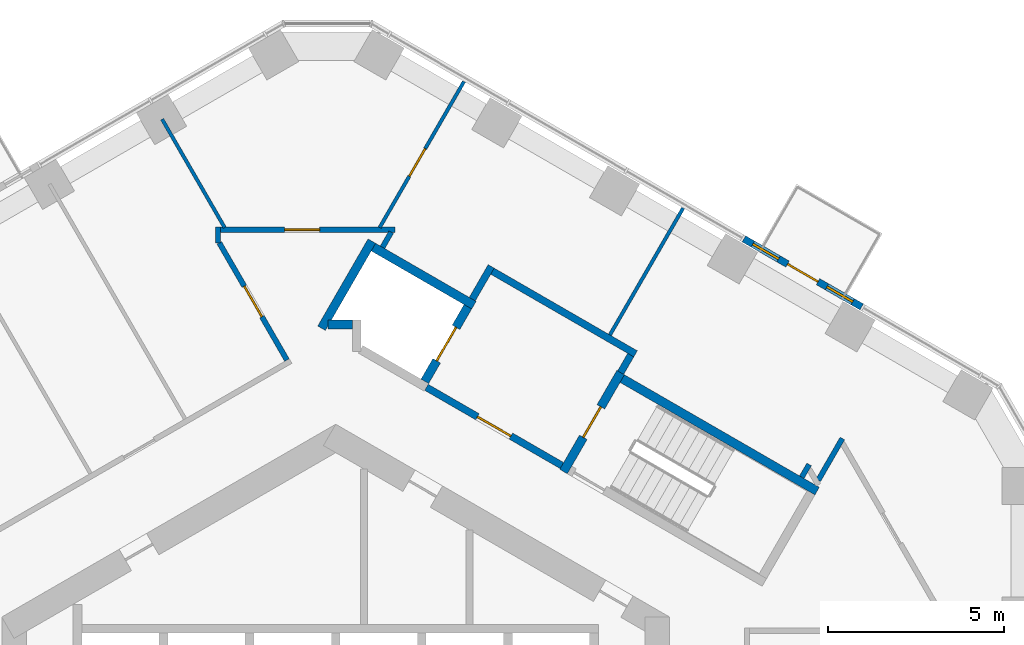
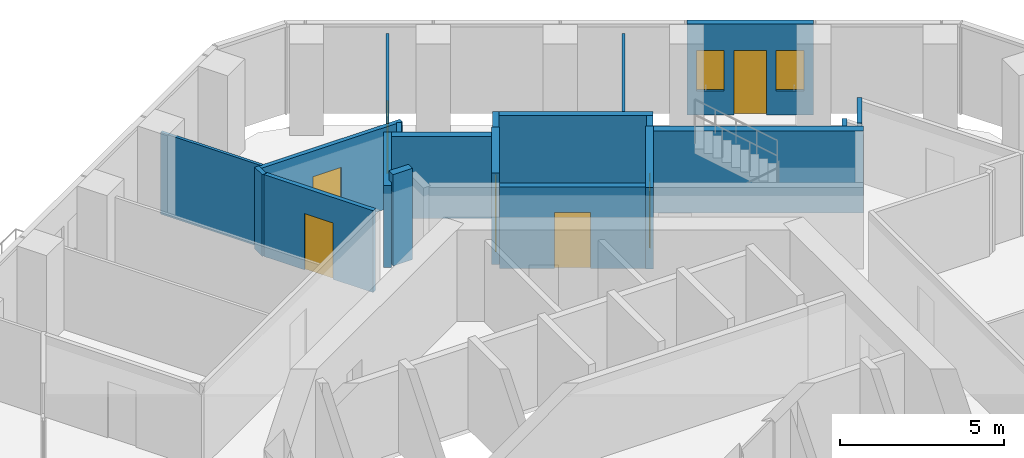
# One storey, part 16 of 20: 20 walls, 7 doors, 2 windows, 9 openings.
"""IFC4 building model written with IfcOpenShell, lengths in metres."""

from ifc_helpers import new_model, si_unit, direction, frame, frame_2d, origin, place, context, subcontext, project, spatial, rectangle, extrude, material, layer, layer_set, type_object, element, fill, save


model = new_model("IFC4")

# Units and contexts
model_context = context("Model", 3, precision=1e-05, world=origin(), true_north=direction((0.0, 1.0)))
body_context = subcontext(model_context, "Body", "Model", "MODEL_VIEW")
ifc_project = project(units=[si_unit("LENGTHUNIT", "METRE"), si_unit("AREAUNIT", "SQUARE_METRE"), si_unit("VOLUMEUNIT", "CUBIC_METRE"), si_unit("PLANEANGLEUNIT", "RADIAN"), si_unit("MASSUNIT", "GRAM", prefix="KILO")], contexts=[model_context])

# Site, building, storey
site_placement = place(None, origin())
site = spatial("IfcSite", under=ifc_project, at=site_placement, CompositionType="ELEMENT")
building_placement = place(site_placement, origin())
building = spatial("IfcBuilding", under=site, at=building_placement, Name="Ayvan Gate Tower", CompositionType="ELEMENT")
storey_placement = place(building_placement, frame((0.0, 0.0, 96.699951171875)))
storey = spatial("IfcBuildingStorey", under=building, at=storey_placement, Name="L25", CompositionType="ELEMENT", Elevation=96.699951171875)

# Wall, openings, door, windows
ifc_material_1 = material(Name="Insulated metal panel wall")
ifc_layer_1 = layer(ifc_material_1, 0.199951171875)
ifc_layer_set_1 = layer_set([ifc_layer_1], Name="Insulated metal panel wall")
wall_type_1 = type_object("IfcWallType", Name="Balcony door wall 200", PredefinedType="SOLIDWALL", material=ifc_layer_set_1)
wall_1_placement = place(storey_placement, frame((14.96240234375, 14.30908203125, 0.0), z_axis=(0.0, 0.0, 1.0), x_axis=(-0.866013246922, 0.500021055713, 0.0)))
wall_1 = element("IfcWall", 1, at=wall_1_placement, inside=storey, type_object=wall_type_1, Name="EW:L25:1:1", PredefinedType="SOLIDWALL", context=body_context, shape_type="SweptSolid", body=[
    extrude(rectangle(XDim=3.868896484375, YDim=0.199951171875, at=frame_2d((1.9345703125, 0.0))), origin(), (0.0, 0.0, 1.0), 3.400146484375),
])
opening_1_placement = place(wall_1_placement, frame((1.4345703125, 0.0, 0.0)))
opening_1 = element("IfcOpeningElement", 2, at=opening_1_placement, cuts=wall_1, Name="Opening L25-D91", PredefinedType="OPENING", context=body_context, shape_type="SweptSolid", body=[
    extrude(rectangle(XDim=1.0, YDim=2.39990234375, at=frame_2d((0.5, 1.199951171875))), frame((0.0, 0.10986328125, 0.0), z_axis=(0.0, -1.0, 0.0), x_axis=(1.0, 0.0, 0.0)), (0.0, 0.0, 1.0), 0.219970703125),
])
opening_2_placement = place(wall_1_placement, frame((0.292236328125, 0.0, 0.89990234375)))
opening_2 = element("IfcOpeningElement", 3, at=opening_2_placement, cuts=wall_1, Name="Opening W-B2", PredefinedType="OPENING", context=body_context, shape_type="SweptSolid", body=[
    extrude(rectangle(XDim=0.85009765625, YDim=1.5, at=frame_2d((0.425048828125, 0.75))), frame((0.0, 0.10986328125, 0.0), z_axis=(0.0, -1.0, 0.0), x_axis=(1.0, 0.0, 0.0)), (0.0, 0.0, 1.0), 0.219970703125),
])
opening_3_placement = place(wall_1_placement, frame((2.726806640625, 0.0, 0.89990234375)))
opening_3 = element("IfcOpeningElement", 4, at=opening_3_placement, cuts=wall_1, Name="Opening W-B2", PredefinedType="OPENING", context=body_context, shape_type="SweptSolid", body=[
    extrude(rectangle(XDim=0.85009765625, YDim=1.5, at=frame_2d((0.425048828125, 0.75))), frame((0.0, 0.10986328125, 0.0), z_axis=(0.0, -1.0, 0.0), x_axis=(1.0, 0.0, 0.0)), (0.0, 0.0, 1.0), 0.219970703125),
])
ifc_material_2 = material(Name="Bronze anodised aluminium and clear glass", Category="aluminium")
door_type_1 = type_object("IfcDoorType", Name="Balcony door D-B", OperationType="SINGLE_SWING_RIGHT", PredefinedType="DOOR", material=ifc_material_2)
door_1_placement = place(opening_1_placement, origin())
door_1 = element("IfcDoor", 5, at=door_1_placement, inside=storey, type_object=door_type_1, Name="Balcony door BAL-L25-1", OperationType="SINGLE_SWING_RIGHT", OverallHeight=2.39990234375, OverallWidth=1.0, PredefinedType="DOOR", context=body_context, shape_type="SweptSolid", body=[
    extrude(rectangle(XDim=1.0, YDim=2.39990234375, at=frame_2d((0.5, 1.199951171875))), frame((0.0, 0.02490234375, 0.0), z_axis=(0.0, -1.0, 0.0), x_axis=(1.0, 0.0, 0.0)), (0.0, 0.0, 1.0), 0.050048828125),
])
fill(opening_1, door_1)
window_type = type_object("IfcWindowType", Name="Balcony side light W-B Z2", PartitioningType="SINGLE_PANEL", PredefinedType="WINDOW", material=ifc_material_2)
window_1_placement = place(opening_2_placement, origin())
window_1 = element("IfcWindow", 6, at=window_1_placement, inside=storey, type_object=window_type, Name="Balcony side light BAL-L25-1.1", OverallHeight=1.5, OverallWidth=0.85009765625, PartitioningType="SINGLE_PANEL", PredefinedType="WINDOW", context=body_context, shape_type="SweptSolid", body=[
    extrude(rectangle(XDim=0.85009765625, YDim=1.5, at=frame_2d((0.425048828125, 0.75))), frame((0.0, 0.030029296875, 0.0), z_axis=(0.0, -1.0, 0.0), x_axis=(1.0, 0.0, 0.0)), (0.0, 0.0, 1.0), 0.06005859375),
])
fill(opening_2, window_1)
window_2_placement = place(opening_3_placement, origin())
window_2 = element("IfcWindow", 7, at=window_2_placement, inside=storey, type_object=window_type, Name="Balcony side light BAL-L25-1.2", OverallHeight=1.5, OverallWidth=0.85009765625, PartitioningType="SINGLE_PANEL", PredefinedType="WINDOW", context=body_context, shape_type="SweptSolid", body=[
    extrude(rectangle(XDim=0.85009765625, YDim=1.5, at=frame_2d((0.425048828125, 0.75))), frame((0.0, 0.030029296875, 0.0), z_axis=(0.0, -1.0, 0.0), x_axis=(1.0, 0.0, 0.0)), (0.0, 0.0, 1.0), 0.06005859375),
])
fill(opening_3, window_2)

# Wall
ifc_material_3 = material(Name="Plasterboard on steel stud", Category="steel")
ifc_layer_2 = layer(ifc_material_3, 0.14990234375)
ifc_layer_set_2 = layer_set([ifc_layer_2], Name="Plasterboard on steel stud")
wall_type_2 = type_object("IfcWallType", Name="WT-CORR-150", PredefinedType="PARTITIONING", material=ifc_layer_set_2)
wall_2_placement = place(storey_placement, frame((-3.35009765625, 16.1201171875, 0.0), z_axis=(0.0, 0.0, 1.0), x_axis=(0.0, 1.0, 0.0)))
element("IfcWall", 8, at=wall_2_placement, inside=storey, type_object=wall_type_2, Name="IW-L25-038", PredefinedType="PARTITIONING", context=body_context, shape_type="SweptSolid", body=[
    extrude(rectangle(XDim=0.45458984375, YDim=0.14990234375, at=frame_2d((0.227294921875, 0.0))), origin(), (0.0, 0.0, 1.0), 3.050048828125),
])

# Wall, opening, door
wall_3_placement = place(storey_placement, frame((-3.27490234375, 16.499755859375, 0.0), z_axis=(0.0, 0.0, 1.0), x_axis=(1.0, 0.0, 0.0)))
wall_3 = element("IfcWall", 9, at=wall_3_placement, inside=storey, type_object=wall_type_2, Name="IW-L25-039", PredefinedType="PARTITIONING", context=body_context, shape_type="SweptSolid", body=[
    extrude(rectangle(XDim=4.96630859375, YDim=0.14990234375, at=frame_2d((2.483154296875, 0.0))), origin(), (0.0, 0.0, 1.0), 3.050048828125),
])
opening_4_placement = place(wall_3_placement, frame((1.8203125, 0.0, 0.0)))
opening_4 = element("IfcOpeningElement", 10, at=opening_4_placement, cuts=wall_3, Name="Opening L25-D20", PredefinedType="OPENING", context=body_context, shape_type="SweptSolid", body=[
    extrude(rectangle(XDim=1.0, YDim=2.10009765625, at=frame_2d((0.5, 1.050048828125))), frame((0.0, 0.0849609375, 0.0), z_axis=(0.0, -1.0, 0.0), x_axis=(1.0, 0.0, 0.0)), (0.0, 0.0, 1.0), 0.169921875),
])
ifc_material_4 = material(Name="Timber door leaf", Category="wood")
door_type_2 = type_object("IfcDoorType", Name="DT-1000", OperationType="NOTDEFINED", PredefinedType="DOOR", material=ifc_material_4)
door_2_placement = place(opening_4_placement, origin())
door_2 = element("IfcDoor", 11, at=door_2_placement, inside=storey, type_object=door_type_2, Name="ID-L25-020", OperationType="SINGLE_SWING_LEFT", OverallHeight=2.10009765625, OverallWidth=1.0, PredefinedType="DOOR", context=body_context, shape_type="SweptSolid", body=[
    extrude(rectangle(XDim=1.0, YDim=2.10009765625, at=frame_2d((0.5, 1.050048828125))), frame((0.0, 0.02490234375, 0.0), z_axis=(0.0, -1.0, 0.0), x_axis=(1.0, 0.0, 0.0)), (0.0, 0.0, 1.0), 0.050048828125),
])
fill(opening_4, door_2)

wall_4_placement = place(storey_placement, frame((-1.387451171875, 12.795654296875, 0.0), z_axis=(0.0, 0.0, 1.0), x_axis=(-0.500006057782, 0.866021906294, 0.0)))
wall_4 = element("IfcWall", 12, at=wall_4_placement, inside=storey, type_object=wall_type_2, Name="IW-L25-045", PredefinedType="PARTITIONING", context=body_context, shape_type="SweptSolid", body=[
    extrude(rectangle(XDim=3.85009765625, YDim=0.14990234375, at=frame_2d((1.925048828125, 0.0))), origin(), (0.0, 0.0, 1.0), 3.050048828125),
])
opening_5_placement = place(wall_4_placement, frame((1.425048828125, 0.0, 0.0)))
opening_5 = element("IfcOpeningElement", 13, at=opening_5_placement, cuts=wall_4, Name="Opening L25-D29", PredefinedType="OPENING", context=body_context, shape_type="SweptSolid", body=[
    extrude(rectangle(XDim=1.0, YDim=2.10009765625, at=frame_2d((0.5, 1.050048828125))), frame((0.0, 0.0849609375, 0.0), z_axis=(0.0, -1.0, 0.0), x_axis=(1.0, 0.0, 0.0)), (0.0, 0.0, 1.0), 0.169921875),
])
door_3_placement = place(opening_5_placement, origin())
door_3 = element("IfcDoor", 14, at=door_3_placement, inside=storey, type_object=door_type_2, Name="ID-L25-029", OperationType="SINGLE_SWING_RIGHT", OverallHeight=2.10009765625, OverallWidth=1.0, PredefinedType="DOOR", context=body_context, shape_type="SweptSolid", body=[
    extrude(rectangle(XDim=1.0, YDim=2.10009765625, at=frame_2d((0.5, 1.050048828125))), frame((0.0, 0.02490234375, 0.0), z_axis=(0.0, -1.0, 0.0), x_axis=(1.0, 0.0, 0.0)), (0.0, 0.0, 1.0), 0.050048828125),
])
fill(opening_5, door_3)

# Walls
wall_5_placement = place(storey_placement, frame((1.5791015625, 16.434814453125, 0.0), z_axis=(0.0, 0.0, 1.0), x_axis=(-0.500359323436, -0.865817848887, 0.0)))
element("IfcWall", 15, at=wall_5_placement, inside=storey, type_object=wall_type_2, Name="IW-L25-058", PredefinedType="PARTITIONING", context=body_context, shape_type="SweptSolid", body=[
    extrude(rectangle(XDim=0.497802734375, YDim=0.14990234375, at=frame_2d((0.2490234375, 0.0))), origin(), (0.0, 0.0, 1.0), 3.050048828125),
])
wall_6_placement = place(storey_placement, frame((13.25830078125, 9.4638671875, 0.0), z_axis=(0.0, 0.0, 1.0), x_axis=(0.49990781971, 0.866078617559, 0.0)))
element("IfcWall", 16, at=wall_6_placement, inside=storey, type_object=wall_type_2, Name="IW-L25-094", PredefinedType="PARTITIONING", context=body_context, shape_type="SweptSolid", body=[
    extrude(rectangle(XDim=0.41796875, YDim=0.14990234375, at=frame_2d((0.208984375, 0.0))), origin(), (0.0, 0.0, 1.0), 3.050048828125),
])
wall_7_placement = place(storey_placement, frame((13.72705078125, 9.3759765625, 0.0), z_axis=(0.0, 0.0, 1.0), x_axis=(0.500025491523, 0.866010685746, 0.0)))
element("IfcWall", 17, at=wall_7_placement, inside=storey, type_object=wall_type_2, Name="IW-L25-098", PredefinedType="PARTITIONING", context=body_context, shape_type="SweptSolid", body=[
    extrude(rectangle(XDim=1.37158203125, YDim=0.14990234375, at=frame_2d((0.685791015625, 0.0))), origin(), (0.0, 0.0, 1.0), 3.050048828125),
])
ifc_layer_3 = layer(ifc_material_3, 0.10009765625)
ifc_layer_set_3 = layer_set([ifc_layer_3], Name="Plasterboard on steel stud")
wall_type_3 = type_object("IfcWallType", Name="WT-PART-100", PredefinedType="PARTITIONING", material=ifc_layer_set_3)
wall_8_placement = place(storey_placement, frame((-3.159423828125, 16.564697265625, 0.0), z_axis=(0.0, 0.0, 1.0), x_axis=(-0.499951970318, 0.866053131959, 0.0)))
element("IfcWall", 18, at=wall_8_placement, inside=storey, type_object=wall_type_3, Name="IW-L25-040", PredefinedType="PARTITIONING", context=body_context, shape_type="SweptSolid", body=[
    extrude(rectangle(XDim=3.560302734375, YDim=0.10009765625, at=frame_2d((1.7802734375, 0.0))), origin(), (0.0, 0.0, 1.0), 3.050048828125),
])

# Wall, opening, door
wall_9_placement = place(storey_placement, frame((3.649169921875, 20.720703125, 0.0), z_axis=(0.0, 0.0, 1.0), x_axis=(-0.499991085587, -0.866030550462, 0.0)))
wall_9 = element("IfcWall", 19, at=wall_9_placement, inside=storey, type_object=wall_type_3, Name="IW-L25-066", PredefinedType="PARTITIONING", context=body_context, shape_type="SweptSolid", body=[
    extrude(rectangle(XDim=4.798828125, YDim=0.10009765625, at=frame_2d((2.3994140625, 0.0))), origin(), (0.0, 0.0, 1.0), 3.050048828125),
])
opening_6_placement = place(wall_9_placement, frame((2.2099609375, 0.0, 0.0)))
opening_6 = element("IfcOpeningElement", 20, at=opening_6_placement, cuts=wall_9, Name="Opening L25-D21", PredefinedType="OPENING", context=body_context, shape_type="SweptSolid", body=[
    extrude(rectangle(XDim=0.89990234375, YDim=2.10009765625, at=frame_2d((0.449951171875, 1.050048828125))), frame((0.0, 0.06005859375, 0.0), z_axis=(0.0, -1.0, 0.0), x_axis=(1.0, 0.0, 0.0)), (0.0, 0.0, 1.0), 0.1201171875),
])
door_type_3 = type_object("IfcDoorType", Name="DT-900", OperationType="NOTDEFINED", PredefinedType="DOOR", material=ifc_material_4)
door_4_placement = place(opening_6_placement, origin())
door_4 = element("IfcDoor", 21, at=door_4_placement, inside=storey, type_object=door_type_3, Name="ID-L25-021", OperationType="SINGLE_SWING_RIGHT", OverallHeight=2.10009765625, OverallWidth=0.89990234375, PredefinedType="DOOR", context=body_context, shape_type="SweptSolid", body=[
    extrude(rectangle(XDim=0.89990234375, YDim=2.10009765625, at=frame_2d((0.449951171875, 1.050048828125))), frame((0.0, 0.02490234375, 0.0), z_axis=(0.0, -1.0, 0.0), x_axis=(1.0, 0.0, 0.0)), (0.0, 0.0, 1.0), 0.050048828125),
])
fill(opening_6, door_4)

# Walls
wall_10_placement = place(storey_placement, frame((7.800048828125, 13.510009765625, 0.0), z_axis=(0.0, 0.0, 1.0), x_axis=(0.499980976928, 0.866036386482, 0.0)))
element("IfcWall", 22, at=wall_10_placement, inside=storey, type_object=wall_type_3, Name="IW-L25-083", PredefinedType="PARTITIONING", context=body_context, shape_type="SweptSolid", body=[
    extrude(rectangle(XDim=4.169189453125, YDim=0.10009765625, at=frame_2d((2.08447265625, 0.0))), origin(), (0.0, 0.0, 1.0), 3.050048828125),
])
ifc_layer_4 = layer(ifc_material_3, 0.199951171875)
ifc_layer_set_4 = layer_set([ifc_layer_4], Name="Plasterboard on steel stud")
wall_type_4 = type_object("IfcWallType", Name="WT-RATED-200", PredefinedType="PARTITIONING", material=ifc_layer_set_4)
wall_11_placement = place(storey_placement, frame((3.885009765625, 14.52880859375, 0.0), z_axis=(0.0, 0.0, 1.0), x_axis=(0.499997628298, 0.866026773083, 0.0)))
element("IfcWall", 23, at=wall_11_placement, inside=storey, type_object=wall_type_4, Name="IW-L25-070", PredefinedType="PARTITIONING", context=body_context, shape_type="SweptSolid", body=[
    extrude(rectangle(XDim=1.0751953125, YDim=0.199951171875, at=frame_2d((0.53759765625, 0.0))), origin(), (0.0, 0.0, 1.0), 3.050048828125),
])
wall_12_placement = place(storey_placement, frame((4.458984375, 15.323486328125, 0.0), z_axis=(0.0, 0.0, 1.0), x_axis=(0.866016039709, -0.500016218704, 0.0)))
element("IfcWall", 24, at=wall_12_placement, inside=storey, type_object=wall_type_4, Name="IW-L25-071", PredefinedType="PARTITIONING", context=body_context, shape_type="SweptSolid", body=[
    extrude(rectangle(XDim=4.699951171875, YDim=0.199951171875, at=frame_2d((2.35009765625, 0.0))), origin(), (0.0, 0.0, 1.0), 3.050048828125),
])

# Wall, opening, door
wall_13_placement = place(storey_placement, frame((6.4345703125, 9.794921875, 0.0), z_axis=(0.0, 0.0, 1.0), x_axis=(-0.866012907634, 0.500021643343, 0.0)))
wall_13 = element("IfcWall", 25, at=wall_13_placement, inside=storey, type_object=wall_type_4, Name="IW-L25-074", PredefinedType="PARTITIONING", context=body_context, shape_type="SweptSolid", body=[
    extrude(rectangle(XDim=4.449951171875, YDim=0.199951171875, at=frame_2d((2.22509765625, 0.0))), origin(), (0.0, 0.0, 1.0), 3.050048828125),
])
opening_7_placement = place(wall_13_placement, frame((1.675048828125, 0.0, 0.0)))
opening_7 = element("IfcOpeningElement", 26, at=opening_7_placement, cuts=wall_13, Name="Opening L25-D08", PredefinedType="OPENING", context=body_context, shape_type="SweptSolid", body=[
    extrude(rectangle(XDim=1.10009765625, YDim=2.10009765625, at=frame_2d((0.550048828125, 1.050048828125))), frame((0.0, 0.10986328125, 0.0), z_axis=(0.0, -1.0, 0.0), x_axis=(1.0, 0.0, 0.0)), (0.0, 0.0, 1.0), 0.219970703125),
])
door_type_4 = type_object("IfcDoorType", Name="DT-1100", OperationType="NOTDEFINED", PredefinedType="DOOR", material=ifc_material_4)
door_5_placement = place(opening_7_placement, origin())
door_5 = element("IfcDoor", 27, at=door_5_placement, inside=storey, type_object=door_type_4, Name="ID-L25-008", OperationType="SINGLE_SWING_LEFT", OverallHeight=2.10009765625, OverallWidth=1.10009765625, PredefinedType="DOOR", context=body_context, shape_type="SweptSolid", body=[
    extrude(rectangle(XDim=1.10009765625, YDim=2.10009765625, at=frame_2d((0.550048828125, 1.050048828125))), frame((0.0, 0.02490234375, 0.0), z_axis=(0.0, -1.0, 0.0), x_axis=(1.0, 0.0, 0.0)), (0.0, 0.0, 1.0), 0.050048828125),
])
fill(opening_7, door_5)

# Walls
wall_14_placement = place(storey_placement, frame((8.392822265625, 12.936767578125, 0.0), z_axis=(0.0, 0.0, 1.0), x_axis=(-0.500065409566, -0.86598763626, 0.0)))
element("IfcWall", 28, at=wall_14_placement, inside=storey, type_object=wall_type_4, Name="IW-L25-085", PredefinedType="PARTITIONING", context=body_context, shape_type="SweptSolid", body=[
    extrude(rectangle(XDim=0.5751953125, YDim=0.199951171875, at=frame_2d((0.28759765625, 0.0))), origin(), (0.0, 0.0, 1.0), 3.050048828125),
])
ifc_material_5 = material(Name="Concrete C50/60", Category="concrete")
ifc_layer_5 = layer(ifc_material_5, 0.25)
ifc_layer_set_5 = layer_set([ifc_layer_5], Name="Concrete C50/60")
wall_type_5 = type_object("IfcWallType", Name="WT-RC-250", PredefinedType="SHEAR", material=ifc_layer_set_5)
wall_15_placement = place(storey_placement, frame((-0.403076171875, 13.70166015625, 0.0), z_axis=(0.0, 0.0, 1.0), x_axis=(0.499976111731, 0.866039195244, 0.0)))
element("IfcWall", 29, at=wall_15_placement, inside=storey, type_object=wall_type_5, Name="IW-L25-051", PredefinedType="SHEAR", context=body_context, shape_type="SweptSolid", body=[
    extrude(rectangle(XDim=2.860595703125, YDim=0.25, at=frame_2d((1.43017578125, 0.0))), origin(), (0.0, 0.0, 1.0), 3.050048828125),
])
wall_16_placement = place(storey_placement, frame((0.47509765625, 13.81005859375, 0.0), z_axis=(0.0, 0.0, 1.0), x_axis=(-1.0, 0.0, 0.0)))
element("IfcWall", 30, at=wall_16_placement, inside=storey, type_object=wall_type_5, Name="IW-L25-055", PredefinedType="SHEAR", context=body_context, shape_type="SweptSolid", body=[
    extrude(rectangle(XDim=0.690673828125, YDim=0.25, at=frame_2d((0.34521484375, 0.0))), origin(), (0.0, 0.0, 1.0), 3.400146484375),
])
wall_17_placement = place(storey_placement, frame((1.072998046875, 16.00830078125, 0.0), z_axis=(0.0, 0.0, 1.0), x_axis=(0.866040211805, -0.499974350878, 0.0)))
element("IfcWall", 31, at=wall_17_placement, inside=storey, type_object=wall_type_5, Name="IW-L25-057", PredefinedType="SHEAR", context=body_context, shape_type="SweptSolid", body=[
    extrude(rectangle(XDim=3.300048828125, YDim=0.25, at=frame_2d((1.64990234375, 0.0))), origin(), (0.0, 0.0, 1.0), 3.050048828125),
])

# Wall, opening, door
wall_18_placement = place(storey_placement, frame((2.534912109375, 12.19091796875, 0.0), z_axis=(0.0, 0.0, 1.0), x_axis=(0.500061746146, 0.865989751695, 0.0)))
wall_18 = element("IfcWall", 32, at=wall_18_placement, inside=storey, type_object=wall_type_5, Name="IW-L25-063", PredefinedType="SHEAR", context=body_context, shape_type="SweptSolid", body=[
    extrude(rectangle(XDim=2.449951171875, YDim=0.25, at=frame_2d((1.22509765625, 0.0))), origin(), (0.0, 0.0, 1.0), 3.400146484375),
])
opening_8_placement = place(wall_18_placement, frame((0.675048828125, 0.0, 0.0)))
opening_8 = element("IfcOpeningElement", 33, at=opening_8_placement, cuts=wall_18, Name="Opening L25-LD-FF1", PredefinedType="OPENING", context=body_context, shape_type="SweptSolid", body=[
    extrude(rectangle(XDim=1.10009765625, YDim=2.10009765625, at=frame_2d((0.550048828125, 1.050048828125))), frame((0.0, 0.135009765625, 0.0), z_axis=(0.0, -1.0, 0.0), x_axis=(1.0, 0.0, 0.0)), (0.0, 0.0, 1.0), 0.27001953125),
])
ifc_material_6 = material(Name="Stainless steel landing door", Category="steel")
door_type_5 = type_object("IfcDoorType", Name="DT-LANDING-1100", OperationType="SLIDING_TO_LEFT", PredefinedType="DOOR", material=ifc_material_6)
door_6_placement = place(opening_8_placement, origin())
door_6 = element("IfcDoor", 34, at=door_6_placement, inside=storey, type_object=door_type_5, Name="ID-L25-009", OperationType="SLIDING_TO_LEFT", OverallHeight=2.10009765625, OverallWidth=1.10009765625, PredefinedType="DOOR", context=body_context, shape_type="SweptSolid", body=[
    extrude(rectangle(XDim=1.10009765625, YDim=2.10009765625, at=frame_2d((0.550048828125, 1.050048828125))), frame((0.0, 0.02490234375, 0.0), z_axis=(0.0, -1.0, 0.0), x_axis=(1.0, 0.0, 0.0)), (0.0, 0.0, 1.0), 0.050048828125),
])
fill(opening_8, door_6)

wall_19_placement = place(storey_placement, frame((6.480224609375, 9.624267578125, 0.0), z_axis=(0.0, 0.0, 1.0), x_axis=(0.500017246033, 0.866015446554, 0.0)))
wall_19 = element("IfcWall", 35, at=wall_19_placement, inside=storey, type_object=wall_type_5, Name="IW-L25-075", PredefinedType="SHEAR", context=body_context, shape_type="SweptSolid", body=[
    extrude(rectangle(XDim=3.25, YDim=0.25, at=frame_2d((1.625, 0.0))), origin(), (0.0, 0.0, 1.0), 3.050048828125),
])
opening_9_placement = place(wall_19_placement, frame((1.125, 0.0, 0.0)))
opening_9 = element("IfcOpeningElement", 36, at=opening_9_placement, cuts=wall_19, Name="Opening L25-D07", PredefinedType="OPENING", context=body_context, shape_type="SweptSolid", body=[
    extrude(rectangle(XDim=1.0, YDim=2.10009765625, at=frame_2d((0.5, 1.050048828125))), frame((0.0, 0.135009765625, 0.0), z_axis=(0.0, -1.0, 0.0), x_axis=(1.0, 0.0, 0.0)), (0.0, 0.0, 1.0), 0.27001953125),
])
door_7_placement = place(opening_9_placement, origin())
door_7 = element("IfcDoor", 37, at=door_7_placement, inside=storey, type_object=door_type_2, Name="ID-L25-007", OperationType="SINGLE_SWING_RIGHT", OverallHeight=2.10009765625, OverallWidth=1.0, PredefinedType="DOOR", context=body_context, shape_type="SweptSolid", body=[
    extrude(rectangle(XDim=1.0, YDim=2.10009765625, at=frame_2d((0.5, 1.050048828125))), frame((0.0, 0.02490234375, 0.0), z_axis=(0.0, -1.0, 0.0), x_axis=(1.0, 0.0, 0.0)), (0.0, 0.0, 1.0), 0.050048828125),
])
fill(opening_9, door_7)

# Wall
wall_20_placement = place(storey_placement, frame((8.151123046875, 12.26806640625, 0.0), z_axis=(0.0, 0.0, 1.0), x_axis=(0.866025499775, -0.499999833739, 0.0)))
element("IfcWall", 38, at=wall_20_placement, inside=storey, type_object=wall_type_5, Name="IW-L25-084", PredefinedType="SHEAR", context=body_context, shape_type="SweptSolid", body=[
    extrude(rectangle(XDim=6.39990234375, YDim=0.25, at=frame_2d((3.199951171875, 0.0))), origin(), (0.0, 0.0, 1.0), 3.050048828125),
])

save(model, "model.ifc")
